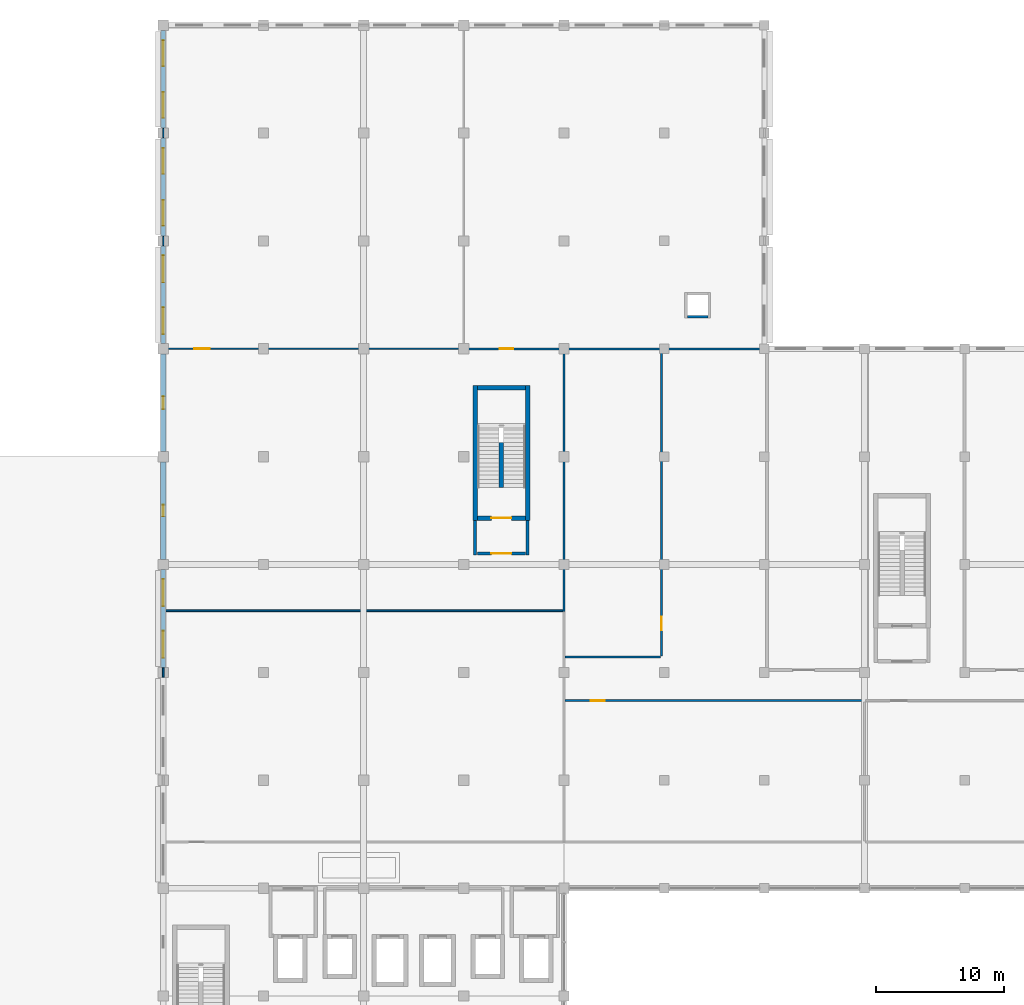
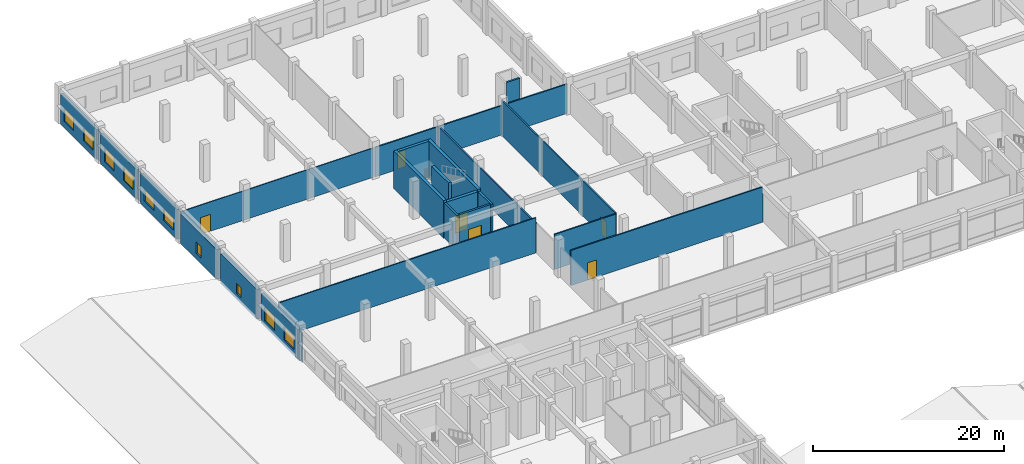
# One storey, part 45 of 62: 25 walls, 10 windows, 6 doors, 16 openings.
"""IFC4 building model written with IfcOpenShell, lengths in metres."""

import ifcopenshell
import ifcopenshell.guid

model = None  # the IFC model being written
_history = None  # IfcOwnerHistory: only IFC2X3 demands one
_inside = {}  # id of a spatial element -> (the spatial element, [elements in it])
_under = {}  # id of a project, library or spatial element -> (it, [spatial elements below it])
_declared = {}  # id of a project -> (the project, [libraries it declares])
_typed = {}  # id of a type object -> (the type object, [elements of that type])
_made_of = {}  # id of a material, layer set ... -> (it, [elements and type objects made of it])


def new_model(schema):
    """Start an empty IFC model of exactly this schema.

    Asked for "IFC4X3", IfcOpenShell would pick the latest addendum, in which some entities
    have other attributes; the version numbers below select the first issue.
    IFC2X3 requires an IfcOwnerHistory on every rooted entity: one is made here for all.
    """
    global model, _history
    if schema == "IFC4X3":
        model = ifcopenshell.file(schema_version=(4, 3, 0, 0))
    else:
        model = ifcopenshell.file(schema=schema)
    _inside.clear()
    _under.clear()
    _declared.clear()
    _typed.clear()
    _made_of.clear()
    _history = None
    if model.schema == "IFC2X3":
        org = make("IfcOrganization", Name="unknown")
        user = make(
            "IfcPersonAndOrganization",
            ThePerson=make("IfcPerson", FamilyName="unknown"),
            TheOrganization=org,
        )
        app = make(
            "IfcApplication",
            ApplicationDeveloper=org,
            Version="unknown",
            ApplicationFullName="unknown",
            ApplicationIdentifier="unknown",
        )
        _history = make(
            "IfcOwnerHistory",
            OwningUser=user,
            OwningApplication=app,
            ChangeAction="ADDED",
            CreationDate=0,
        )
    return model


def make(cls, **values):
    """One entity of the class cls with the attributes given. An attribute that is None is left unset."""
    return model.create_entity(
        cls, **{name: value for name, value in values.items() if value is not None}
    )


def rooted(cls, **values):
    """An entity with a GlobalId (a new one), such as an element, a storey or a relation."""
    return make(cls, GlobalId=ifcopenshell.guid.new(), OwnerHistory=_history, **values)


def si_unit(unit_type, name, prefix=None):
    """IfcSIUnit, for example si_unit("LENGTHUNIT", "METRE", prefix="MILLI")."""
    return make("IfcSIUnit", UnitType=unit_type, Prefix=prefix, Name=name)


def assignment(units):
    """IfcUnitAssignment: the units of a project."""
    return None if units is None else make("IfcUnitAssignment", Units=units)


def point(xyz):
    """IfcCartesianPoint."""
    return None if xyz is None else make("IfcCartesianPoint", Coordinates=xyz)


def direction(xyz):
    """IfcDirection."""
    return None if xyz is None else make("IfcDirection", DirectionRatios=xyz)


def frame(location, z_axis=None, x_axis=None):
    """IfcAxis2Placement3D, a coordinate frame: its origin and axes. An axis left out is left unset."""
    return make(
        "IfcAxis2Placement3D",
        Location=point(location),
        Axis=direction(z_axis),
        RefDirection=direction(x_axis),
    )


def frame_2d(location, x_axis=None):
    """IfcAxis2Placement2D, a coordinate frame in the plane: its origin and x axis."""
    return make(
        "IfcAxis2Placement2D", Location=point(location), RefDirection=direction(x_axis)
    )


def origin():
    """The frame at (0, 0, 0) with its axes left unset."""
    return frame((0.0, 0.0, 0.0))


def place(relative_to, where):
    """IfcLocalPlacement: puts the frame where relative to a parent placement (None: the world)."""
    return make(
        "IfcLocalPlacement", PlacementRelTo=relative_to, RelativePlacement=where
    )


def context(
    kind, dimensions, precision=None, world=None, true_north=None, identifier=None
):
    """IfcGeometricRepresentationContext, for example the 3D "Model" context."""
    return make(
        "IfcGeometricRepresentationContext",
        ContextIdentifier=identifier,
        ContextType=kind,
        CoordinateSpaceDimension=dimensions,
        Precision=precision,
        WorldCoordinateSystem=world,
        TrueNorth=true_north,
    )


def subcontext(parent, identifier, kind, view, scale=None):
    """IfcGeometricRepresentationSubContext, for example "Body" below "Model"."""
    return make(
        "IfcGeometricRepresentationSubContext",
        ContextIdentifier=identifier,
        ContextType=kind,
        ParentContext=parent,
        TargetScale=scale,
        TargetView=view,
    )


def project(units=None, contexts=None):
    """IfcProject with its units and contexts."""
    return rooted(
        "IfcProject",
        Name="project",
        RepresentationContexts=contexts,
        UnitsInContext=assignment(units),
    )


def spatial(cls, under=None, at=None, **own):
    """A site, building, storey or space (cls), placed at a placement, below another one or the project."""
    s = rooted(cls, ObjectPlacement=at, **own)
    if under is not None:
        _under.setdefault(under.id(), (under, []))[1].append(s)
    return s


def profile(cls, at=None, kind="AREA", **sizes):
    """A parametric profile (cls). Its sizes go by their IFC names, for example OverallWidth=200.0."""
    return make(cls, ProfileType=kind, Position=at, **sizes)


def rectangle(**sizes):
    """IfcRectangleProfileDef."""
    return profile("IfcRectangleProfileDef", **sizes)


def extrude(swept, where, along, depth):
    """IfcExtrudedAreaSolid: the profile swept, set in the frame where, extruded along a direction by depth."""
    return make(
        "IfcExtrudedAreaSolid",
        SweptArea=swept,
        Position=where,
        ExtrudedDirection=direction(along),
        Depth=depth,
    )


def shape(context_of_items, identifier, shape_type, items):
    """IfcShapeRepresentation: the items that make up one representation, for example the "Body"."""
    return make(
        "IfcShapeRepresentation",
        ContextOfItems=context_of_items,
        RepresentationIdentifier=identifier,
        RepresentationType=shape_type,
        Items=items,
    )


def material(Name=None, Category=None):
    """IfcMaterial."""
    return make("IfcMaterial", Name=Name, Category=Category)


def layer(
    of_material, thickness, ventilated=None, Name=None, Category=None, Priority=None
):
    """IfcMaterialLayer: one layer of a wall or slab, of a material (None: an air gap)."""
    return make(
        "IfcMaterialLayer",
        Material=of_material,
        LayerThickness=thickness,
        IsVentilated=ventilated,
        Name=Name,
        Category=Category,
        Priority=Priority,
    )


def layer_set(layers, Name=None):
    """IfcMaterialLayerSet."""
    return make("IfcMaterialLayerSet", MaterialLayers=layers, LayerSetName=Name)


def made_of(thing, what):
    """Note that an element or type object is made of a material, layer set ...; save() writes the relation."""
    if what is not None:
        _made_of.setdefault(what.id(), (what, []))[1].append(thing)
    return thing


def type_object(cls, material=None, **own):
    """A type object (cls), such as IfcWallType, which elements share."""
    return made_of(rooted(cls, **own), material)


def element(
    cls,
    number,
    at=None,
    inside=None,
    cuts=None,
    type_object=None,
    material=None,
    context=None,
    identifier="Body",
    shape_type=None,
    held_by="IfcProductDefinitionShape",
    body=None,
    shapes=None,
    **own,
):
    """One element of the class cls, such as IfcWall. Its Tag is "e" and its number.

    at: its placement. inside: the storey or other place that contains it. cuts: it is an
    opening in that element (IfcRelVoidsElement). A single representation is given by context,
    identifier, shape_type and body (its items); several are given by shapes. held_by: the class
    of the entity that holds the representations. save() writes the other relations.
    """
    e = rooted(cls, Tag="e%d" % number, ObjectPlacement=at, **own)
    if body is not None:
        shapes = [shape(context, identifier, shape_type, body)]
    if shapes is not None:
        e.Representation = make(held_by, Representations=shapes)
    if inside is not None:
        _inside.setdefault(inside.id(), (inside, []))[1].append(e)
    if cuts is not None:
        rooted(
            "IfcRelVoidsElement", RelatingBuildingElement=cuts, RelatedOpeningElement=e
        )
    if type_object is not None:
        _typed.setdefault(type_object.id(), (type_object, []))[1].append(e)
    return made_of(e, material)


def fill(opening, filler):
    """IfcRelFillsElement: the door or window that sits in an opening."""
    return rooted(
        "IfcRelFillsElement",
        RelatingOpeningElement=opening,
        RelatedBuildingElement=filler,
    )


def aggregate(whole, parts):
    """IfcRelAggregates: a whole, such as a stair, and the parts it consists of."""
    return rooted("IfcRelAggregates", RelatingObject=whole, RelatedObjects=parts)


def save(model, path):
    """Write the relations noted so far, then the file.

    IfcRelAggregates (storeys below a building ...), IfcRelContainedInSpatialStructure (elements
    in a storey), IfcRelDefinesByType, IfcRelAssociatesMaterial and IfcRelDeclares: one each for
    every whole, place, type object, material and project.
    """
    for whole, parts in _under.values():
        aggregate(whole, parts)
    for where, things in _inside.values():
        rooted(
            "IfcRelContainedInSpatialStructure",
            RelatedElements=things,
            RelatingStructure=where,
        )
    for kind, things in _typed.values():
        rooted("IfcRelDefinesByType", RelatedObjects=things, RelatingType=kind)
    for what, things in _made_of.values():
        rooted("IfcRelAssociatesMaterial", RelatedObjects=things, RelatingMaterial=what)
    for by, libraries in _declared.values():
        rooted("IfcRelDeclares", RelatingContext=by, RelatedDefinitions=libraries)
    model.write(path)


model = new_model("IFC4")

# Units and contexts
model_context = context("Model", 3, precision=1e-05, world=origin(), true_north=direction((0.0, 1.0)))
body_context = subcontext(model_context, "Body", "Model", "MODEL_VIEW")
ifc_project = project(units=[si_unit("LENGTHUNIT", "METRE"), si_unit("AREAUNIT", "SQUARE_METRE"), si_unit("VOLUMEUNIT", "CUBIC_METRE"), si_unit("PLANEANGLEUNIT", "RADIAN"), si_unit("MASSUNIT", "GRAM", prefix="KILO"), si_unit("THERMODYNAMICTEMPERATUREUNIT", "KELVIN"), si_unit("POWERUNIT", "WATT")], contexts=[model_context])

# Site, building, storey
site_placement = place(None, origin())
site = spatial("IfcSite", under=ifc_project, at=site_placement, CompositionType="ELEMENT")
building_placement = place(site_placement, origin())
building = spatial("IfcBuilding", under=site, at=building_placement, Name="Srebrne Nadtorze General Hospital", CompositionType="ELEMENT")
storey_placement = place(building_placement, frame((0.0, 0.0, 9.60009765625)))
storey = spatial("IfcBuildingStorey", under=building, at=storey_placement, Name="L02", CompositionType="ELEMENT", Elevation=9.60009765625)

# Wall, opening, window
ifc_material_1 = material(Name="Concrete C40/50", Category="concrete")
ifc_layer_1 = layer(ifc_material_1, 0.419921875)
ifc_layer_set_1 = layer_set([ifc_layer_1], Name="Concrete C40/50")
wall_type_1 = type_object("IfcWallType", Name="Acoustic buffer wall 420", PredefinedType="SOLIDWALL", material=ifc_layer_set_1)
wall_1_placement = place(storey_placement, frame((23.39990234375, 76.0, 0.0), z_axis=(0.0, 0.0, 1.0), x_axis=(0.0, 1.0, 0.0)))
wall_1 = element("IfcWall", 1, at=wall_1_placement, inside=storey, type_object=wall_type_1, Name="Exterior wall WL-ENV-L02-0251", PredefinedType="SOLIDWALL", context=body_context, shape_type="SweptSolid", body=[
    extrude(rectangle(XDim=7.60009765625, YDim=0.419921875, at=frame_2d((3.800048828125, 0.0))), origin(), (0.0, 0.0, 1.0), 3.7998046875),
])
opening_1_placement = place(wall_1_placement, frame((3.35009765625, 0.0, 0.75)))
opening_1 = element("IfcOpeningElement", 2, at=opening_1_placement, cuts=wall_1, Name="Opening WN-L02-0318", PredefinedType="OPENING", context=body_context, shape_type="SweptSolid", body=[
    extrude(rectangle(XDim=0.89990234375, YDim=1.300048828125, at=frame_2d((0.449951171875, 0.64990234375))), frame((0.0, 0.221923828125, 0.0), z_axis=(0.0, -1.0, 0.0), x_axis=(1.0, 0.0, 0.0)), (0.0, 0.0, 1.0), 0.44384765625),
])
ifc_material_2 = material(Name="Triple Low-E Glazing", Category="glass")
window_type_1 = type_object("IfcWindowType", Name="Punched clinical window 900x1300", PartitioningType="SINGLE_PANEL", PredefinedType="WINDOW", material=ifc_material_2)
window_1_placement = place(opening_1_placement, origin())
window_1 = element("IfcWindow", 3, at=window_1_placement, inside=storey, type_object=window_type_1, Name="Clinical window WN-L02-0318", OverallHeight=1.300048828125, OverallWidth=0.89990234375, PartitioningType="SINGLE_PANEL", PredefinedType="WINDOW", context=body_context, shape_type="SweptSolid", body=[
    extrude(rectangle(XDim=0.89990234375, YDim=1.300048828125, at=frame_2d((0.449951171875, 0.64990234375))), frame((0.0, 0.030029296875, 0.0), z_axis=(0.0, -1.0, 0.0), x_axis=(1.0, 0.0, 0.0)), (0.0, 0.0, 1.0), 0.06005859375),
])
fill(opening_1, window_1)

wall_2_placement = place(storey_placement, frame((23.39990234375, 84.39990234375, 0.0), z_axis=(0.0, 0.0, 1.0), x_axis=(0.0, 1.0, 0.0)))
wall_2 = element("IfcWall", 4, at=wall_2_placement, inside=storey, type_object=wall_type_1, Name="Exterior wall WL-ENV-L02-0252", PredefinedType="SOLIDWALL", context=body_context, shape_type="SweptSolid", body=[
    extrude(rectangle(XDim=7.60009765625, YDim=0.419921875, at=frame_2d((3.800048828125, 0.0))), origin(), (0.0, 0.0, 1.0), 3.7998046875),
])
opening_2_placement = place(wall_2_placement, frame((3.300048828125, 0.0, 0.75)))
opening_2 = element("IfcOpeningElement", 5, at=opening_2_placement, cuts=wall_2, Name="Opening WN-L02-0319", PredefinedType="OPENING", context=body_context, shape_type="SweptSolid", body=[
    extrude(rectangle(XDim=1.0, YDim=1.449951171875, at=frame_2d((0.5, 0.72509765625))), frame((0.0, 0.221923828125, 0.0), z_axis=(0.0, -1.0, 0.0), x_axis=(1.0, 0.0, 0.0)), (0.0, 0.0, 1.0), 0.44384765625),
])
ifc_material_3 = material(Name="Triple Low-E Glazing", Category="glass")
window_type_2 = type_object("IfcWindowType", Name="Punched clinical window 1000x1450", PartitioningType="SINGLE_PANEL", PredefinedType="WINDOW", material=ifc_material_3)
window_2_placement = place(opening_2_placement, origin())
window_2 = element("IfcWindow", 6, at=window_2_placement, inside=storey, type_object=window_type_2, Name="Clinical window WN-L02-0319", OverallHeight=1.449951171875, OverallWidth=1.0, PartitioningType="SINGLE_PANEL", PredefinedType="WINDOW", context=body_context, shape_type="SweptSolid", body=[
    extrude(rectangle(XDim=1.0, YDim=1.449951171875, at=frame_2d((0.5, 0.72509765625))), frame((0.0, 0.030029296875, 0.0), z_axis=(0.0, -1.0, 0.0), x_axis=(1.0, 0.0, 0.0)), (0.0, 0.0, 1.0), 0.06005859375),
])
fill(opening_2, window_2)

# Walls
ifc_material_4 = material(Name="Gypsum Healthcare Partition")
ifc_layer_2 = layer(ifc_material_4, 0.139892578125)
ifc_layer_set_2 = layer_set([ifc_layer_2], Name="Gypsum Healthcare Partition")
wall_type_2 = type_object("IfcWallType", Name="Clinical partition 140", PredefinedType="PARTITIONING", material=ifc_layer_set_2)
wall_3_placement = place(storey_placement, frame((23.485107421875, 72.0, 0.0), z_axis=(0.0, 0.0, 1.0), x_axis=(1.0, 0.0, 0.0)))
element("IfcWall", 7, at=wall_3_placement, inside=storey, type_object=wall_type_2, Name="Neuro-Intensive Care Unit wall WL-INT-L02-1510", PredefinedType="PARTITIONING", context=body_context, shape_type="SweptSolid", body=[
    extrude(rectangle(XDim=31.02978515625, YDim=0.139892578125, at=frame_2d((15.514892578125, 0.0))), origin(), (0.0, 0.0, 1.0), 4.47998046875),
])
wall_4_placement = place(storey_placement, frame((23.39990234375, 66.840087890625, 0.0), z_axis=(0.0, 0.0, 1.0), x_axis=(0.0, 1.0, 0.0)))
element("IfcWall", 8, at=wall_4_placement, inside=storey, type_object=wall_type_2, Name="Neuro-Intensive Care Unit wall WL-INT-L02-1512", PredefinedType="PARTITIONING", context=body_context, shape_type="SweptSolid", body=[
    extrude(rectangle(XDim=0.719970703125, YDim=0.139892578125, at=frame_2d((0.35986328125, 0.0))), origin(), (0.0, 0.0, 1.0), 3.75),
])

# Wall, opening, door
ifc_material_5 = material(Name="Gypsum Healthcare Partition")
ifc_layer_3 = layer(ifc_material_5, 0.159912109375)
ifc_layer_set_3 = layer_set([ifc_layer_3], Name="Gypsum Healthcare Partition")
wall_type_3 = type_object("IfcWallType", Name="Clinical partition 160", PredefinedType="PARTITIONING", material=ifc_layer_set_3)
wall_5_placement = place(storey_placement, frame((46.885009765625, 92.39990234375, 0.0), z_axis=(0.0, 0.0, 1.0), x_axis=(1.0, 0.0, 0.0)))
wall_5 = element("IfcWall", 9, at=wall_5_placement, inside=storey, type_object=wall_type_3, Name="Coronary Intensive Care Unit wall WL-INT-L02-1504", PredefinedType="PARTITIONING", context=body_context, shape_type="SweptSolid", body=[
    extrude(rectangle(XDim=23.22998046875, YDim=0.159912109375, at=frame_2d((11.614990234375, 0.0))), origin(), (0.0, 0.0, 1.0), 3.75),
])
opening_3_placement = place(wall_5_placement, frame((2.69775390625, 0.0, 0.0)))
opening_3 = element("IfcOpeningElement", 10, at=opening_3_placement, cuts=wall_5, Name="Opening D-L02-0241", PredefinedType="OPENING", context=body_context, shape_type="SweptSolid", body=[
    extrude(rectangle(XDim=1.080078125, YDim=2.14990234375, at=frame_2d((0.5400390625, 1.074951171875))), frame((0.0, 0.091796875, 0.0), z_axis=(0.0, -1.0, 0.0), x_axis=(1.0, 0.0, 0.0)), (0.0, 0.0, 1.0), 0.183837890625),
])
ifc_material_6 = material(Name="Anodised Aluminium", Category="aluminium")
door_type_1 = type_object("IfcDoorType", Name="Single leaf door 1080x2150", OperationType="NOTDEFINED", PredefinedType="DOOR", material=ifc_material_6)
door_1_placement = place(opening_3_placement, origin())
door_1 = element("IfcDoor", 11, at=door_1_placement, inside=storey, type_object=door_type_1, Name="Coronary Intensive Care Unit door D-L02-0241", OperationType="SINGLE_SWING_LEFT", OverallHeight=2.14990234375, OverallWidth=1.080078125, PredefinedType="DOOR", context=body_context, shape_type="SweptSolid", body=[
    extrude(rectangle(XDim=1.080078125, YDim=2.14990234375, at=frame_2d((0.5400390625, 1.074951171875))), frame((0.0, 0.02490234375, 0.0), z_axis=(0.0, -1.0, 0.0), x_axis=(1.0, 0.0, 0.0)), (0.0, 0.0, 1.0), 0.050048828125),
])
fill(opening_3, door_1)

wall_6_placement = place(storey_placement, frame((54.68505859375, 65.0, 0.0), z_axis=(0.0, 0.0, 1.0), x_axis=(1.0, 0.0, 0.0)))
wall_6 = element("IfcWall", 12, at=wall_6_placement, inside=storey, type_object=wall_type_3, Name="Post-Anaesthesia Care Unit wall WL-INT-L02-1524", PredefinedType="PARTITIONING", context=body_context, shape_type="SweptSolid", body=[
    extrude(rectangle(XDim=23.22998046875, YDim=0.159912109375, at=frame_2d((11.614990234375, 0.0))), origin(), (0.0, 0.0, 1.0), 4.47998046875),
])
opening_4_placement = place(wall_6_placement, frame((1.98779296875, 0.0, 0.0)))
opening_4 = element("IfcOpeningElement", 13, at=opening_4_placement, cuts=wall_6, Name="Opening D-L02-0244", PredefinedType="OPENING", context=body_context, shape_type="SweptSolid", body=[
    extrude(rectangle(XDim=1.1201171875, YDim=2.199951171875, at=frame_2d((0.56005859375, 1.10009765625))), frame((0.0, 0.091796875, 0.0), z_axis=(0.0, -1.0, 0.0), x_axis=(1.0, 0.0, 0.0)), (0.0, 0.0, 1.0), 0.183837890625),
])
ifc_material_7 = material(Name="Anodised Aluminium", Category="aluminium")
door_type_2 = type_object("IfcDoorType", Name="Single leaf door 1120x2200", OperationType="NOTDEFINED", PredefinedType="DOOR", material=ifc_material_7)
door_2_placement = place(opening_4_placement, frame((1.1201171875, 0.0, 0.0), z_axis=(0.0, 0.0, 1.0), x_axis=(-1.0, 0.0, 0.0)))
door_2 = element("IfcDoor", 14, at=door_2_placement, inside=storey, type_object=door_type_2, Name="Post-Anaesthesia Care Unit door D-L02-0244", OperationType="SINGLE_SWING_RIGHT", OverallHeight=2.199951171875, OverallWidth=1.1201171875, PredefinedType="DOOR", context=body_context, shape_type="SweptSolid", body=[
    extrude(rectangle(XDim=1.1201171875, YDim=2.199951171875, at=frame_2d((0.56005859375, 1.10009765625))), frame((0.0, 0.02490234375, 0.0), z_axis=(0.0, -1.0, 0.0), x_axis=(1.0, 0.0, 0.0)), (0.0, 0.0, 1.0), 0.050048828125),
])
fill(opening_4, door_2)

wall_7_placement = place(storey_placement, frame((62.199951171875, 68.485107421875, 0.0), z_axis=(0.0, 0.0, 1.0), x_axis=(0.0, 1.0, 0.0)))
wall_7 = element("IfcWall", 15, at=wall_7_placement, inside=storey, type_object=wall_type_3, Name="Surgical Pathology Frozen-Section Lab wall WL-INT-L02-1569", PredefinedType="PARTITIONING", context=body_context, shape_type="SweptSolid", body=[
    extrude(rectangle(XDim=23.829833984375, YDim=0.159912109375, at=frame_2d((11.9150390625, 0.0))), origin(), (0.0, 0.0, 1.0), 4.47998046875),
])
opening_5_placement = place(wall_7_placement, frame((1.98828125, 0.0, 0.0)))
opening_5 = element("IfcOpeningElement", 16, at=opening_5_placement, cuts=wall_7, Name="Opening D-L02-0256", PredefinedType="OPENING", context=body_context, shape_type="SweptSolid", body=[
    extrude(rectangle(XDim=1.080078125, YDim=2.14990234375, at=frame_2d((0.5400390625, 1.074951171875))), frame((0.0, 0.091796875, 0.0), z_axis=(0.0, -1.0, 0.0), x_axis=(1.0, 0.0, 0.0)), (0.0, 0.0, 1.0), 0.183837890625),
])
door_3_placement = place(opening_5_placement, origin())
door_3 = element("IfcDoor", 17, at=door_3_placement, inside=storey, type_object=door_type_1, Name="Surgical Pathology Frozen-Section Lab door D-L02-0256", OperationType="SINGLE_SWING_LEFT", OverallHeight=2.14990234375, OverallWidth=1.080078125, PredefinedType="DOOR", context=body_context, shape_type="SweptSolid", body=[
    extrude(rectangle(XDim=1.080078125, YDim=2.14990234375, at=frame_2d((0.5400390625, 1.074951171875))), frame((0.0, 0.02490234375, 0.0), z_axis=(0.0, -1.0, 0.0), x_axis=(1.0, 0.0, 0.0)), (0.0, 0.0, 1.0), 0.050048828125),
])
fill(opening_5, door_3)

# Walls
wall_8_placement = place(storey_placement, frame((54.68505859375, 68.39990234375, 0.0), z_axis=(0.0, 0.0, 1.0), x_axis=(1.0, 0.0, 0.0)))
element("IfcWall", 18, at=wall_8_placement, inside=storey, type_object=wall_type_3, Name="Surgical Pathology Frozen-Section Lab wall WL-INT-L02-1570", PredefinedType="PARTITIONING", context=body_context, shape_type="SweptSolid", body=[
    extrude(rectangle(XDim=7.429931640625, YDim=0.159912109375, at=frame_2d((3.71484375, 0.0))), origin(), (0.0, 0.0, 1.0), 4.47998046875),
])
wall_9_placement = place(storey_placement, frame((54.60009765625, 71.955078125, 0.0), z_axis=(0.0, 0.0, 1.0), x_axis=(0.0, 1.0, 0.0)))
element("IfcWall", 19, at=wall_9_placement, inside=storey, type_object=wall_type_3, Name="Surgical Pathology Frozen-Section Lab wall WL-INT-L02-1571", PredefinedType="PARTITIONING", context=body_context, shape_type="SweptSolid", body=[
    extrude(rectangle(XDim=20.35986328125, YDim=0.159912109375, at=frame_2d((10.179931640625, 0.0))), origin(), (0.0, 0.0, 1.0), 3.75),
])
ifc_material_8 = material(Name="Gypsum Healthcare Partition")
ifc_layer_4 = layer(ifc_material_8, 0.199951171875)
ifc_layer_set_4 = layer_set([ifc_layer_4], Name="Gypsum Healthcare Partition")
wall_type_4 = type_object("IfcWallType", Name="Compartment wall 200", PredefinedType="STANDARD", material=ifc_layer_set_4)
wall_10_placement = place(storey_placement, frame((64.199951171875, 94.89990234375, 0.0), z_axis=(0.0, 0.0, 1.0), x_axis=(1.0, 0.0, 0.0)))
element("IfcWall", 20, at=wall_10_placement, inside=storey, type_object=wall_type_4, Name="MEP riser wall WL-INT-L02-1012", PredefinedType="STANDARD", context=body_context, shape_type="SweptSolid", body=[
    extrude(rectangle(XDim=1.60009765625, YDim=0.199951171875, at=frame_2d((0.800048828125, 0.0))), origin(), (0.0, 0.0, 1.0), 4.5),
])
ifc_material_9 = material(Name="Gypsum Healthcare Partition")
ifc_layer_5 = layer(ifc_material_9, 0.239990234375)
ifc_layer_set_5 = layer_set([ifc_layer_5], Name="Gypsum Healthcare Partition")
wall_type_5 = type_object("IfcWallType", Name="Corridor fire wall 240", PredefinedType="STANDARD", material=ifc_layer_set_5)
for number, where, z_axis, x_axis, name in (
    (21, (47.675048828125, 76.35498046875, 0.0), (0.0, 0.0, 1.0), (0.0, 1.0, 0.0), "Fire lobby wall ST-02 WL-INT-L02-0205"),
    (22, (51.77490234375, 76.35498046875, 0.0), (0.0, 0.0, 1.0), (0.0, 1.0, 0.0), "Fire lobby wall ST-02 WL-INT-L02-0206"),
):
    element("IfcWall", number, at=place(storey_placement, frame(where, z_axis=z_axis, x_axis=x_axis)), inside=storey, type_object=wall_type_5, Name=name, PredefinedType="STANDARD", context=body_context, shape_type="SweptSolid", body=[
        extrude(rectangle(XDim=2.695068359375, YDim=0.239990234375, at=frame_2d((1.34765625, 0.0))), origin(), (0.0, 0.0, 1.0), 4.5),
    ])

# Wall, opening, door
wall_11_placement = place(storey_placement, frame((47.85009765625, 76.47509765625, 0.0), z_axis=(0.0, 0.0, 1.0), x_axis=(1.0, 0.0, 0.0)))
wall_11 = element("IfcWall", 23, at=wall_11_placement, inside=storey, type_object=wall_type_5, Name="Fire lobby entry wall ST-02 WL-INT-L02-0207", PredefinedType="STANDARD", context=body_context, shape_type="SweptSolid", body=[
    extrude(rectangle(XDim=3.75, YDim=0.239990234375, at=frame_2d((1.875, 0.0))), origin(), (0.0, 0.0, 1.0), 4.5),
])
opening_6_placement = place(wall_11_placement, frame((1.10009765625, 0.0, 0.0)))
opening_6 = element("IfcOpeningElement", 24, at=opening_6_placement, cuts=wall_11, Name="Opening D-L02-0052", PredefinedType="OPENING", context=body_context, shape_type="SweptSolid", body=[
    extrude(rectangle(XDim=1.550048828125, YDim=2.25, at=frame_2d((0.77490234375, 1.125))), frame((0.0, 0.1318359375, 0.0), z_axis=(0.0, -1.0, 0.0), x_axis=(1.0, 0.0, 0.0)), (0.0, 0.0, 1.0), 0.263916015625),
])
ifc_material_10 = material(Name="Anodised Aluminium", Category="aluminium")
door_type_3 = type_object("IfcDoorType", Name="Double leaf door 1550x2250", OperationType="DOUBLE_DOOR_SINGLE_SWING", PredefinedType="DOOR", material=ifc_material_10)
door_4_placement = place(opening_6_placement, origin())
door_4 = element("IfcDoor", 25, at=door_4_placement, inside=storey, type_object=door_type_3, Name="Fire lobby door ST-02 D-L02-0052", OperationType="DOUBLE_DOOR_SINGLE_SWING", OverallHeight=2.25, OverallWidth=1.550048828125, PredefinedType="DOOR", context=body_context, shape_type="SweptSolid", body=[
    extrude(rectangle(XDim=1.550048828125, YDim=2.25, at=frame_2d((0.77490234375, 1.125))), frame((0.0, 0.02490234375, 0.0), z_axis=(0.0, -1.0, 0.0), x_axis=(1.0, 0.0, 0.0)), (0.0, 0.0, 1.0), 0.050048828125),
])
fill(opening_6, door_4)

ifc_material_11 = material(Name="Gypsum Healthcare Partition")
ifc_layer_6 = layer(ifc_material_11, 0.10009765625)
ifc_layer_set_6 = layer_set([ifc_layer_6], Name="Gypsum Healthcare Partition")
wall_type_6 = type_object("IfcWallType", Name="Shaft lining wall 100", PredefinedType="PARTITIONING", material=ifc_layer_set_6)
wall_12_placement = place(storey_placement, frame((23.485107421875, 92.39990234375, 0.0), z_axis=(0.0, 0.0, 1.0), x_axis=(1.0, 0.0, 0.0)))
wall_12 = element("IfcWall", 26, at=wall_12_placement, inside=storey, type_object=wall_type_6, Name="Intensive Care Unit wall WL-INT-L02-1498", PredefinedType="PARTITIONING", context=body_context, shape_type="SweptSolid", body=[
    extrude(rectangle(XDim=23.22998046875, YDim=0.10009765625, at=frame_2d((11.614990234375, 0.0))), origin(), (0.0, 0.0, 1.0), 3.75),
])
opening_7_placement = place(wall_12_placement, frame((2.33349609375, 0.0, 0.0)))
opening_7 = element("IfcOpeningElement", 27, at=opening_7_placement, cuts=wall_12, Name="Opening D-L02-0240", PredefinedType="OPENING", context=body_context, shape_type="SweptSolid", body=[
    extrude(rectangle(XDim=1.199951171875, YDim=2.14990234375, at=frame_2d((0.60009765625, 1.074951171875))), frame((0.0, 0.06201171875, 0.0), z_axis=(0.0, -1.0, 0.0), x_axis=(1.0, 0.0, 0.0)), (0.0, 0.0, 1.0), 0.1240234375),
])
ifc_material_12 = material(Name="Anodised Aluminium", Category="aluminium")
door_type_4 = type_object("IfcDoorType", Name="Single leaf door 1200x2150", OperationType="NOTDEFINED", PredefinedType="DOOR", material=ifc_material_12)
door_5_placement = place(opening_7_placement, origin())
door_5 = element("IfcDoor", 28, at=door_5_placement, inside=storey, type_object=door_type_4, Name="Intensive Care Unit door D-L02-0240", OperationType="SINGLE_SWING_LEFT", OverallHeight=2.14990234375, OverallWidth=1.199951171875, PredefinedType="DOOR", context=body_context, shape_type="SweptSolid", body=[
    extrude(rectangle(XDim=1.199951171875, YDim=2.14990234375, at=frame_2d((0.60009765625, 1.074951171875))), frame((0.0, 0.02490234375, 0.0), z_axis=(0.0, -1.0, 0.0), x_axis=(1.0, 0.0, 0.0)), (0.0, 0.0, 1.0), 0.050048828125),
])
fill(opening_7, door_5)

# Walls
for number, where, z_axis, x_axis, name in (
    (29, (23.39990234375, 100.43994140625, 0.0), (0.0, 0.0, 1.0), (0.0, 1.0, 0.0), "Intensive Care Unit wall WL-INT-L02-1501"),
    (30, (23.39990234375, 108.840087890625, 0.0), (0.0, 0.0, 1.0), (0.0, 1.0, 0.0), "Intensive Care Unit wall WL-INT-L02-1502"),
):
    element("IfcWall", number, at=place(storey_placement, frame(where, z_axis=z_axis, x_axis=x_axis)), inside=storey, type_object=wall_type_6, Name=name, PredefinedType="PARTITIONING", context=body_context, shape_type="SweptSolid", body=[
        extrude(rectangle(XDim=0.719970703125, YDim=0.10009765625, at=frame_2d((0.35986328125, 0.0))), origin(), (0.0, 0.0, 1.0), 3.75),
    ])
ifc_material_13 = material(Name="Concrete C40/50", Category="concrete")
ifc_layer_7 = layer(ifc_material_13, 0.35009765625)
ifc_layer_set_7 = layer_set([ifc_layer_7], Name="Concrete C40/50")
wall_type_7 = type_object("IfcWallType", Name="Shear core wall 350", PredefinedType="SHEAR", material=ifc_layer_set_7)
for number, where, z_axis, x_axis, name in (
    (31, (47.675048828125, 79.050048828125, 0.0), (0.0, 0.0, 1.0), (0.0, 1.0, 0.0), "Stair core wall ST-02 WL-INT-L02-0201"),
    (32, (51.77490234375, 79.050048828125, 0.0), (0.0, 0.0, 1.0), (0.0, 1.0, 0.0), "Stair core wall ST-02 WL-INT-L02-0202"),
):
    element("IfcWall", number, at=place(storey_placement, frame(where, z_axis=z_axis, x_axis=x_axis)), inside=storey, type_object=wall_type_7, Name=name, PredefinedType="SHEAR", context=body_context, shape_type="SweptSolid", body=[
        extrude(rectangle(XDim=10.5, YDim=0.35009765625, at=frame_2d((5.25, 0.0))), origin(), (0.0, 0.0, 1.0), 4.7998046875),
    ])
wall_13_placement = place(storey_placement, frame((47.85009765625, 89.375, 0.0), z_axis=(0.0, 0.0, 1.0), x_axis=(1.0, 0.0, 0.0)))
element("IfcWall", 33, at=wall_13_placement, inside=storey, type_object=wall_type_7, Name="Stair core wall ST-02 WL-INT-L02-0203", PredefinedType="SHEAR", context=body_context, shape_type="SweptSolid", body=[
    extrude(rectangle(XDim=3.75, YDim=0.35009765625, at=frame_2d((1.875, 0.0))), origin(), (0.0, 0.0, 1.0), 4.7998046875),
])

# Wall, opening, door
wall_14_placement = place(storey_placement, frame((47.85009765625, 79.22509765625, 0.0), z_axis=(0.0, 0.0, 1.0), x_axis=(1.0, 0.0, 0.0)))
wall_14 = element("IfcWall", 34, at=wall_14_placement, inside=storey, type_object=wall_type_7, Name="Stairwell fire wall ST-02 WL-INT-L02-0204", PredefinedType="SHEAR", context=body_context, shape_type="SweptSolid", body=[
    extrude(rectangle(XDim=3.75, YDim=0.35009765625, at=frame_2d((1.875, 0.0))), origin(), (0.0, 0.0, 1.0), 4.5),
])
opening_8_placement = place(wall_14_placement, frame((1.10009765625, 0.0, 0.0)))
opening_8 = element("IfcOpeningElement", 35, at=opening_8_placement, cuts=wall_14, Name="Opening D-L02-0051", PredefinedType="OPENING", context=body_context, shape_type="SweptSolid", body=[
    extrude(rectangle(XDim=1.550048828125, YDim=2.25, at=frame_2d((0.77490234375, 1.125))), frame((0.0, 0.18701171875, 0.0), z_axis=(0.0, -1.0, 0.0), x_axis=(1.0, 0.0, 0.0)), (0.0, 0.0, 1.0), 0.3740234375),
])
door_6_placement = place(opening_8_placement, origin())
door_6 = element("IfcDoor", 36, at=door_6_placement, inside=storey, type_object=door_type_3, Name="Protected stair door ST-02 D-L02-0051", OperationType="DOUBLE_DOOR_SINGLE_SWING", OverallHeight=2.25, OverallWidth=1.550048828125, PredefinedType="DOOR", context=body_context, shape_type="SweptSolid", body=[
    extrude(rectangle(XDim=1.550048828125, YDim=2.25, at=frame_2d((0.77490234375, 1.125))), frame((0.0, 0.02490234375, 0.0), z_axis=(0.0, -1.0, 0.0), x_axis=(1.0, 0.0, 0.0)), (0.0, 0.0, 1.0), 0.050048828125),
])
fill(opening_8, door_6)

# Wall
wall_15_placement = place(storey_placement, frame((49.72509765625, 81.60009765625, 0.0), z_axis=(0.0, 0.0, 1.0), x_axis=(0.0, 1.0, 0.0)))
element("IfcWall", 37, at=wall_15_placement, inside=storey, type_object=wall_type_7, Name="Stair spine wall ST-02 WL-INT-L02-0208", PredefinedType="SHEAR", context=body_context, shape_type="SweptSolid", body=[
    extrude(rectangle(XDim=3.52001953125, YDim=0.35009765625, at=frame_2d((1.760009765625, 0.0))), origin(), (0.0, 0.0, 1.0), 4.7998046875),
])

# Wall, openings, windows
ifc_material_14 = material(Name="Concrete C35/45", Category="concrete")
ifc_layer_8 = layer(ifc_material_14, 0.320068359375)
ifc_layer_set_8 = layer_set([ifc_layer_8], Name="Concrete C35/45")
wall_type_8 = type_object("IfcWallType", Name="Spandrel wall 320", PredefinedType="STANDARD", material=ifc_layer_set_8)
wall_16_placement = place(storey_placement, frame((23.39990234375, 67.60009765625, 0.0), z_axis=(0.0, 0.0, 1.0), x_axis=(0.0, 1.0, 0.0)))
wall_16 = element("IfcWall", 38, at=wall_16_placement, inside=storey, type_object=wall_type_8, Name="Exterior wall WL-ENV-L02-0250", PredefinedType="STANDARD", context=body_context, shape_type="SweptSolid", body=[
    extrude(rectangle(XDim=7.599853515625, YDim=0.320068359375, at=frame_2d((3.7998046875, 0.0))), origin(), (0.0, 0.0, 1.0), 3.7998046875),
])
opening_9_placement = place(wall_16_placement, frame((0.73388671875, 0.0, 0.75)))
opening_9 = element("IfcOpeningElement", 39, at=opening_9_placement, cuts=wall_16, Name="Opening WN-L02-0316", PredefinedType="OPENING", context=body_context, shape_type="SweptSolid", body=[
    extrude(rectangle(XDim=2.10009765625, YDim=1.75, at=frame_2d((1.050048828125, 0.875))), frame((0.0, 0.171875, 0.0), z_axis=(0.0, -1.0, 0.0), x_axis=(1.0, 0.0, 0.0)), (0.0, 0.0, 1.0), 0.343994140625),
])
opening_10_placement = place(wall_16_placement, frame((4.76611328125, 0.0, 0.75)))
opening_10 = element("IfcOpeningElement", 40, at=opening_10_placement, cuts=wall_16, Name="Opening WN-L02-0317", PredefinedType="OPENING", context=body_context, shape_type="SweptSolid", body=[
    extrude(rectangle(XDim=2.10009765625, YDim=1.75, at=frame_2d((1.050048828125, 0.875))), frame((0.0, 0.171875, 0.0), z_axis=(0.0, -1.0, 0.0), x_axis=(1.0, 0.0, 0.0)), (0.0, 0.0, 1.0), 0.343994140625),
])
ifc_material_15 = material(Name="Triple Low-E Glazing", Category="glass")
window_type_3 = type_object("IfcWindowType", Name="Punched clinical window 2100x1750", PartitioningType="DOUBLE_PANEL_VERTICAL", PredefinedType="WINDOW", material=ifc_material_15)
window_3_placement = place(opening_9_placement, origin())
window_3 = element("IfcWindow", 41, at=window_3_placement, inside=storey, type_object=window_type_3, Name="Clinical window WN-L02-0316", OverallHeight=1.75, OverallWidth=2.10009765625, PartitioningType="DOUBLE_PANEL_VERTICAL", PredefinedType="WINDOW", context=body_context, shape_type="SweptSolid", body=[
    extrude(rectangle(XDim=2.10009765625, YDim=1.75, at=frame_2d((1.050048828125, 0.875))), frame((0.0, 0.030029296875, 0.0), z_axis=(0.0, -1.0, 0.0), x_axis=(1.0, 0.0, 0.0)), (0.0, 0.0, 1.0), 0.06005859375),
])
fill(opening_9, window_3)
window_4_placement = place(opening_10_placement, origin())
window_4 = element("IfcWindow", 42, at=window_4_placement, inside=storey, type_object=window_type_3, Name="Clinical window WN-L02-0317", OverallHeight=1.75, OverallWidth=2.10009765625, PartitioningType="DOUBLE_PANEL_VERTICAL", PredefinedType="WINDOW", context=body_context, shape_type="SweptSolid", body=[
    extrude(rectangle(XDim=2.10009765625, YDim=1.75, at=frame_2d((1.050048828125, 0.875))), frame((0.0, 0.030029296875, 0.0), z_axis=(0.0, -1.0, 0.0), x_axis=(1.0, 0.0, 0.0)), (0.0, 0.0, 1.0), 0.06005859375),
])
fill(opening_10, window_4)

wall_17_placement = place(storey_placement, frame((23.39990234375, 92.800048828125, 0.0), z_axis=(0.0, 0.0, 1.0), x_axis=(0.0, 1.0, 0.0)))
wall_17 = element("IfcWall", 43, at=wall_17_placement, inside=storey, type_object=wall_type_8, Name="Exterior wall WL-ENV-L02-0253", PredefinedType="STANDARD", context=body_context, shape_type="SweptSolid", body=[
    extrude(rectangle(XDim=7.599853515625, YDim=0.320068359375, at=frame_2d((3.7998046875, 0.0))), origin(), (0.0, 0.0, 1.0), 3.7998046875),
])
opening_11_placement = place(wall_17_placement, frame((0.73388671875, 0.0, 0.75)))
opening_11 = element("IfcOpeningElement", 44, at=opening_11_placement, cuts=wall_17, Name="Opening WN-L02-0320", PredefinedType="OPENING", context=body_context, shape_type="SweptSolid", body=[
    extrude(rectangle(XDim=2.10009765625, YDim=1.449951171875, at=frame_2d((1.050048828125, 0.72509765625))), frame((0.0, 0.171875, 0.0), z_axis=(0.0, -1.0, 0.0), x_axis=(1.0, 0.0, 0.0)), (0.0, 0.0, 1.0), 0.343994140625),
])
opening_12_placement = place(wall_17_placement, frame((4.76611328125, 0.0, 0.75)))
opening_12 = element("IfcOpeningElement", 45, at=opening_12_placement, cuts=wall_17, Name="Opening WN-L02-0321", PredefinedType="OPENING", context=body_context, shape_type="SweptSolid", body=[
    extrude(rectangle(XDim=2.10009765625, YDim=1.449951171875, at=frame_2d((1.050048828125, 0.72509765625))), frame((0.0, 0.171875, 0.0), z_axis=(0.0, -1.0, 0.0), x_axis=(1.0, 0.0, 0.0)), (0.0, 0.0, 1.0), 0.343994140625),
])
ifc_material_16 = material(Name="Triple Low-E Glazing", Category="glass")
window_type_4 = type_object("IfcWindowType", Name="Punched clinical window 2100x1450", PartitioningType="DOUBLE_PANEL_VERTICAL", PredefinedType="WINDOW", material=ifc_material_16)
window_5_placement = place(opening_11_placement, origin())
window_5 = element("IfcWindow", 46, at=window_5_placement, inside=storey, type_object=window_type_4, Name="Clinical window WN-L02-0320", OverallHeight=1.449951171875, OverallWidth=2.10009765625, PartitioningType="DOUBLE_PANEL_VERTICAL", PredefinedType="WINDOW", context=body_context, shape_type="SweptSolid", body=[
    extrude(rectangle(XDim=2.10009765625, YDim=1.449951171875, at=frame_2d((1.050048828125, 0.72509765625))), frame((0.0, 0.030029296875, 0.0), z_axis=(0.0, -1.0, 0.0), x_axis=(1.0, 0.0, 0.0)), (0.0, 0.0, 1.0), 0.06005859375),
])
fill(opening_11, window_5)
window_6_placement = place(opening_12_placement, origin())
window_6 = element("IfcWindow", 47, at=window_6_placement, inside=storey, type_object=window_type_4, Name="Clinical window WN-L02-0321", OverallHeight=1.449951171875, OverallWidth=2.10009765625, PartitioningType="DOUBLE_PANEL_VERTICAL", PredefinedType="WINDOW", context=body_context, shape_type="SweptSolid", body=[
    extrude(rectangle(XDim=2.10009765625, YDim=1.449951171875, at=frame_2d((1.050048828125, 0.72509765625))), frame((0.0, 0.030029296875, 0.0), z_axis=(0.0, -1.0, 0.0), x_axis=(1.0, 0.0, 0.0)), (0.0, 0.0, 1.0), 0.06005859375),
])
fill(opening_12, window_6)

wall_18_placement = place(storey_placement, frame((23.39990234375, 101.199951171875, 0.0), z_axis=(0.0, 0.0, 1.0), x_axis=(0.0, 1.0, 0.0)))
wall_18 = element("IfcWall", 48, at=wall_18_placement, inside=storey, type_object=wall_type_8, Name="Exterior wall WL-ENV-L02-0254", PredefinedType="STANDARD", context=body_context, shape_type="SweptSolid", body=[
    extrude(rectangle(XDim=7.60009765625, YDim=0.320068359375, at=frame_2d((3.800048828125, 0.0))), origin(), (0.0, 0.0, 1.0), 3.7998046875),
])
opening_13_placement = place(wall_18_placement, frame((0.783935546875, 0.0, 0.75)))
opening_13 = element("IfcOpeningElement", 49, at=opening_13_placement, cuts=wall_18, Name="Opening WN-L02-0322", PredefinedType="OPENING", context=body_context, shape_type="SweptSolid", body=[
    extrude(rectangle(XDim=2.0, YDim=1.75, at=frame_2d((1.0, 0.875))), frame((0.0, 0.171875, 0.0), z_axis=(0.0, -1.0, 0.0), x_axis=(1.0, 0.0, 0.0)), (0.0, 0.0, 1.0), 0.343994140625),
])
opening_14_placement = place(wall_18_placement, frame((4.81591796875, 0.0, 0.75)))
opening_14 = element("IfcOpeningElement", 50, at=opening_14_placement, cuts=wall_18, Name="Opening WN-L02-0323", PredefinedType="OPENING", context=body_context, shape_type="SweptSolid", body=[
    extrude(rectangle(XDim=2.0, YDim=1.75, at=frame_2d((1.0, 0.875))), frame((0.0, 0.171875, 0.0), z_axis=(0.0, -1.0, 0.0), x_axis=(1.0, 0.0, 0.0)), (0.0, 0.0, 1.0), 0.343994140625),
])
ifc_material_17 = material(Name="Triple Low-E Glazing", Category="glass")
window_type_5 = type_object("IfcWindowType", Name="Punched clinical window 2000x1750", PartitioningType="DOUBLE_PANEL_VERTICAL", PredefinedType="WINDOW", material=ifc_material_17)
window_7_placement = place(opening_13_placement, origin())
window_7 = element("IfcWindow", 51, at=window_7_placement, inside=storey, type_object=window_type_5, Name="Clinical window WN-L02-0322", OverallHeight=1.75, OverallWidth=2.0, PartitioningType="DOUBLE_PANEL_VERTICAL", PredefinedType="WINDOW", context=body_context, shape_type="SweptSolid", body=[
    extrude(rectangle(XDim=2.0, YDim=1.75, at=frame_2d((1.0, 0.875))), frame((0.0, 0.030029296875, 0.0), z_axis=(0.0, -1.0, 0.0), x_axis=(1.0, 0.0, 0.0)), (0.0, 0.0, 1.0), 0.06005859375),
])
fill(opening_13, window_7)
window_8_placement = place(opening_14_placement, origin())
window_8 = element("IfcWindow", 52, at=window_8_placement, inside=storey, type_object=window_type_5, Name="Clinical window WN-L02-0323", OverallHeight=1.75, OverallWidth=2.0, PartitioningType="DOUBLE_PANEL_VERTICAL", PredefinedType="WINDOW", context=body_context, shape_type="SweptSolid", body=[
    extrude(rectangle(XDim=2.0, YDim=1.75, at=frame_2d((1.0, 0.875))), frame((0.0, 0.030029296875, 0.0), z_axis=(0.0, -1.0, 0.0), x_axis=(1.0, 0.0, 0.0)), (0.0, 0.0, 1.0), 0.06005859375),
])
fill(opening_14, window_8)

wall_19_placement = place(storey_placement, frame((23.39990234375, 109.60009765625, 0.0), z_axis=(0.0, 0.0, 1.0), x_axis=(0.0, 1.0, 0.0)))
wall_19 = element("IfcWall", 53, at=wall_19_placement, inside=storey, type_object=wall_type_8, Name="Exterior wall WL-ENV-L02-0255", PredefinedType="STANDARD", context=body_context, shape_type="SweptSolid", body=[
    extrude(rectangle(XDim=7.599853515625, YDim=0.320068359375, at=frame_2d((3.7998046875, 0.0))), origin(), (0.0, 0.0, 1.0), 3.7998046875),
])
opening_15_placement = place(wall_19_placement, frame((0.783935546875, 0.0, 0.75)))
opening_15 = element("IfcOpeningElement", 54, at=opening_15_placement, cuts=wall_19, Name="Opening WN-L02-0324", PredefinedType="OPENING", context=body_context, shape_type="SweptSolid", body=[
    extrude(rectangle(XDim=2.0, YDim=1.64990234375, at=frame_2d((1.0, 0.824951171875))), frame((0.0, 0.171875, 0.0), z_axis=(0.0, -1.0, 0.0), x_axis=(1.0, 0.0, 0.0)), (0.0, 0.0, 1.0), 0.343994140625),
])
opening_16_placement = place(wall_19_placement, frame((4.81591796875, 0.0, 0.75)))
opening_16 = element("IfcOpeningElement", 55, at=opening_16_placement, cuts=wall_19, Name="Opening WN-L02-0325", PredefinedType="OPENING", context=body_context, shape_type="SweptSolid", body=[
    extrude(rectangle(XDim=2.0, YDim=1.64990234375, at=frame_2d((1.0, 0.824951171875))), frame((0.0, 0.171875, 0.0), z_axis=(0.0, -1.0, 0.0), x_axis=(1.0, 0.0, 0.0)), (0.0, 0.0, 1.0), 0.343994140625),
])
ifc_material_18 = material(Name="Triple Low-E Glazing", Category="glass")
window_type_6 = type_object("IfcWindowType", Name="Punched clinical window 2000x1650", PartitioningType="DOUBLE_PANEL_VERTICAL", PredefinedType="WINDOW", material=ifc_material_18)
window_9_placement = place(opening_15_placement, origin())
window_9 = element("IfcWindow", 56, at=window_9_placement, inside=storey, type_object=window_type_6, Name="Clinical window WN-L02-0324", OverallHeight=1.64990234375, OverallWidth=2.0, PartitioningType="DOUBLE_PANEL_VERTICAL", PredefinedType="WINDOW", context=body_context, shape_type="SweptSolid", body=[
    extrude(rectangle(XDim=2.0, YDim=1.64990234375, at=frame_2d((1.0, 0.824951171875))), frame((0.0, 0.030029296875, 0.0), z_axis=(0.0, -1.0, 0.0), x_axis=(1.0, 0.0, 0.0)), (0.0, 0.0, 1.0), 0.06005859375),
])
fill(opening_15, window_9)
window_10_placement = place(opening_16_placement, origin())
window_10 = element("IfcWindow", 57, at=window_10_placement, inside=storey, type_object=window_type_6, Name="Clinical window WN-L02-0325", OverallHeight=1.64990234375, OverallWidth=2.0, PartitioningType="DOUBLE_PANEL_VERTICAL", PredefinedType="WINDOW", context=body_context, shape_type="SweptSolid", body=[
    extrude(rectangle(XDim=2.0, YDim=1.64990234375, at=frame_2d((1.0, 0.824951171875))), frame((0.0, 0.030029296875, 0.0), z_axis=(0.0, -1.0, 0.0), x_axis=(1.0, 0.0, 0.0)), (0.0, 0.0, 1.0), 0.06005859375),
])
fill(opening_16, window_10)

save(model, "model.ifc")
